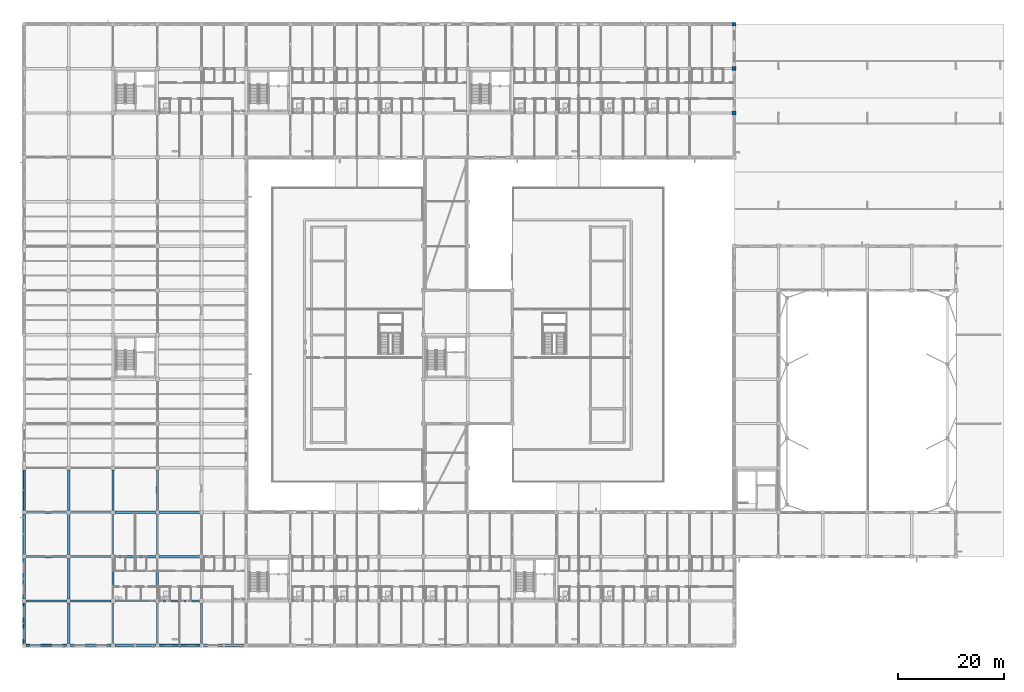
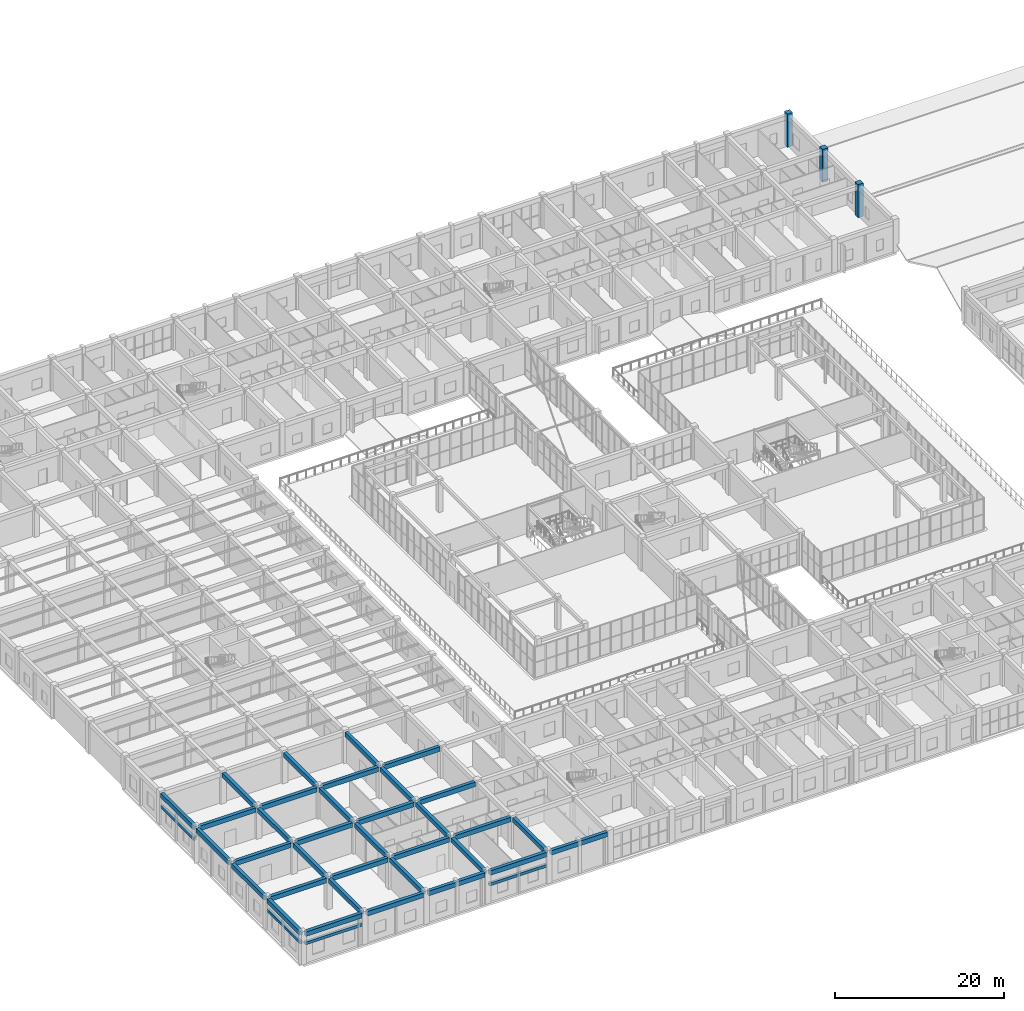
# One storey, part 16 of 158: 38 beams, 3 columns.
"""IFC4 building model written with IfcOpenShell, lengths in metres."""

from ifc_helpers import new_model, si_unit, direction, frame, origin, origin_2d, place, context, subcontext, project, spatial, rectangle, extrude, material, material_profile, profile_set, type_object, element, save


model = new_model("IFC4")

# Units and contexts
model_context = context("Model", 3, precision=1e-05, world=origin(), true_north=direction((0.0, 1.0)))
body_context = subcontext(model_context, "Body", "Model", "MODEL_VIEW")
ifc_project = project(units=[si_unit("LENGTHUNIT", "METRE"), si_unit("AREAUNIT", "SQUARE_METRE"), si_unit("VOLUMEUNIT", "CUBIC_METRE"), si_unit("PLANEANGLEUNIT", "RADIAN"), si_unit("MASSUNIT", "GRAM", prefix="KILO")], contexts=[model_context])

# Site, building, storey
site_placement = place(None, origin())
site = spatial("IfcSite", under=ifc_project, at=site_placement, CompositionType="ELEMENT")
building_placement = place(site_placement, origin())
building = spatial("IfcBuilding", under=site, at=building_placement, Name="Trelvath General Hospital", CompositionType="ELEMENT")
storey_placement = place(building_placement, frame((0.0, 0.0, 8.10009765625)))
storey = spatial("IfcBuildingStorey", under=building, at=storey_placement, Name="L02", CompositionType="ELEMENT", Elevation=8.10009765625)

# Columns
ifc_material_1 = material(Name="Concrete C40/50", Category="concrete")
ifc_material_profile_1 = material_profile(ifc_material_1, rectangle(XDim=0.719970703125, YDim=0.719970703125, at=origin_2d()), Name="RC720x720")
ifc_profile_set_1 = profile_set([ifc_material_profile_1], Name="Concrete C40/50")
column_type = type_object("IfcColumnType", Name="Column RC720", PredefinedType="COLUMN", material=ifc_profile_set_1)
for number, where, z_axis, x_axis, name in (
    (1, (134.39990234375, 100.800048828125, 0.0), (0.0, 0.0, 1.0), (1.0, 0.0, 0.0), "Column C-17M L02"),
    (2, (134.39990234375, 109.199951171875, 0.0), (0.0, 0.0, 1.0), (1.0, 0.0, 0.0), "Column C-17N L02"),
    (3, (134.39990234375, 117.60009765625, 0.0), (0.0, 0.0, 1.0), (1.0, 0.0, 0.0), "Column C-17O L02"),
):
    element("IfcColumn", number, at=place(storey_placement, frame(where, z_axis=z_axis, x_axis=x_axis)), inside=storey, type_object=column_type, Name=name, PredefinedType="COLUMN", context=body_context, shape_type="SweptSolid", body=[
        extrude(rectangle(XDim=0.719970703125, YDim=0.719970703125, at=origin_2d()), origin(), (0.0, 0.0, 1.0), 4.7998046875),
    ])

# Beams
ifc_material_2 = material(Name="Concrete C35/45", Category="concrete")
ifc_material_profile_2 = material_profile(ifc_material_2, rectangle(XDim=0.449951171875, YDim=0.64990234375, at=origin_2d()), Name="RCB450x650")
ifc_profile_set_2 = profile_set([ifc_material_profile_2], Name="Concrete C35/45")
beam_type_1 = type_object("IfcBeamType", Name="Beam RC450x650", PredefinedType="BEAM", material=ifc_profile_set_2)
beam_1_placement = place(storey_placement, frame((0.0, 0.35498046875, 4.19482421875), z_axis=(0.0, 1.0, 0.0), x_axis=(-1.0, 0.0, 0.0)))
element("IfcBeam", 4, at=beam_1_placement, inside=storey, type_object=beam_type_1, Name="Grid Beam BY-200A", PredefinedType="BEAM", context=body_context, shape_type="SweptSolid", body=[
    extrude(rectangle(XDim=0.449951171875, YDim=0.64990234375, at=origin_2d()), origin(), (0.0, 0.0, 1.0), 7.68994140625),
])
beam_2_placement = place(storey_placement, frame((0.0, 8.7548828125, 4.19482421875), z_axis=(0.0, 1.0, 0.0), x_axis=(-1.0, 0.0, 0.0)))
element("IfcBeam", 5, at=beam_2_placement, inside=storey, type_object=beam_type_1, Name="Grid Beam BY-200B", PredefinedType="BEAM", context=body_context, shape_type="SweptSolid", body=[
    extrude(rectangle(XDim=0.449951171875, YDim=0.64990234375, at=origin_2d()), origin(), (0.0, 0.0, 1.0), 7.690185546875),
])
beam_3_placement = place(storey_placement, frame((0.0, 17.155029296875, 4.19482421875), z_axis=(0.0, 1.0, 0.0), x_axis=(-1.0, 0.0, 0.0)))
element("IfcBeam", 6, at=beam_3_placement, inside=storey, type_object=beam_type_1, Name="Grid Beam BY-200C", PredefinedType="BEAM", context=body_context, shape_type="SweptSolid", body=[
    extrude(rectangle(XDim=0.449951171875, YDim=0.64990234375, at=origin_2d()), origin(), (0.0, 0.0, 1.0), 7.68994140625),
])
beam_4_placement = place(storey_placement, frame((0.0, 25.554931640625, 4.19482421875), z_axis=(0.0, 1.0, 0.0), x_axis=(-1.0, 0.0, 0.0)))
element("IfcBeam", 7, at=beam_4_placement, inside=storey, type_object=beam_type_1, Name="Grid Beam BY-200D", PredefinedType="BEAM", context=body_context, shape_type="SweptSolid", body=[
    extrude(rectangle(XDim=0.449951171875, YDim=0.64990234375, at=origin_2d()), origin(), (0.0, 0.0, 1.0), 7.690185546875),
])
beam_5_placement = place(storey_placement, frame((8.39990234375, 0.35498046875, 4.19482421875), z_axis=(0.0, 1.0, 0.0), x_axis=(-1.0, 0.0, 0.0)))
element("IfcBeam", 8, at=beam_5_placement, inside=storey, type_object=beam_type_1, Name="Grid Beam BY-201A", PredefinedType="BEAM", context=body_context, shape_type="SweptSolid", body=[
    extrude(rectangle(XDim=0.449951171875, YDim=0.64990234375, at=origin_2d()), origin(), (0.0, 0.0, 1.0), 7.675048828125),
])
beam_6_placement = place(storey_placement, frame((8.39990234375, 8.77001953125, 4.19482421875), z_axis=(0.0, 1.0, 0.0), x_axis=(-1.0, 0.0, 0.0)))
element("IfcBeam", 9, at=beam_6_placement, inside=storey, type_object=beam_type_1, Name="Grid Beam BY-201B", PredefinedType="BEAM", context=body_context, shape_type="SweptSolid", body=[
    extrude(rectangle(XDim=0.449951171875, YDim=0.64990234375, at=origin_2d()), origin(), (0.0, 0.0, 1.0), 7.659912109375),
])
beam_7_placement = place(storey_placement, frame((8.39990234375, 17.169921875, 4.19482421875), z_axis=(0.0, 1.0, 0.0), x_axis=(-1.0, 0.0, 0.0)))
element("IfcBeam", 10, at=beam_7_placement, inside=storey, type_object=beam_type_1, Name="Grid Beam BY-201C", PredefinedType="BEAM", context=body_context, shape_type="SweptSolid", body=[
    extrude(rectangle(XDim=0.449951171875, YDim=0.64990234375, at=origin_2d()), origin(), (0.0, 0.0, 1.0), 7.66015625),
])
beam_8_placement = place(storey_placement, frame((8.39990234375, 25.570068359375, 4.19482421875), z_axis=(0.0, 1.0, 0.0), x_axis=(-1.0, 0.0, 0.0)))
element("IfcBeam", 11, at=beam_8_placement, inside=storey, type_object=beam_type_1, Name="Grid Beam BY-201D", PredefinedType="BEAM", context=body_context, shape_type="SweptSolid", body=[
    extrude(rectangle(XDim=0.449951171875, YDim=0.64990234375, at=origin_2d()), origin(), (0.0, 0.0, 1.0), 7.659912109375),
])
beam_9_placement = place(storey_placement, frame((16.800048828125, 0.35498046875, 4.19482421875), z_axis=(0.0, 1.0, 0.0), x_axis=(-1.0, 0.0, 0.0)))
element("IfcBeam", 12, at=beam_9_placement, inside=storey, type_object=beam_type_1, Name="Grid Beam BY-202A", PredefinedType="BEAM", context=body_context, shape_type="SweptSolid", body=[
    extrude(rectangle(XDim=0.449951171875, YDim=0.64990234375, at=origin_2d()), origin(), (0.0, 0.0, 1.0), 7.675048828125),
])
beam_10_placement = place(storey_placement, frame((16.800048828125, 8.77001953125, 4.19482421875), z_axis=(0.0, 1.0, 0.0), x_axis=(-1.0, 0.0, 0.0)))
element("IfcBeam", 13, at=beam_10_placement, inside=storey, type_object=beam_type_1, Name="Grid Beam BY-202B", PredefinedType="BEAM", context=body_context, shape_type="SweptSolid", body=[
    extrude(rectangle(XDim=0.449951171875, YDim=0.64990234375, at=origin_2d()), origin(), (0.0, 0.0, 1.0), 7.659912109375),
])
beam_11_placement = place(storey_placement, frame((16.800048828125, 17.169921875, 4.19482421875), z_axis=(0.0, 1.0, 0.0), x_axis=(-1.0, 0.0, 0.0)))
element("IfcBeam", 14, at=beam_11_placement, inside=storey, type_object=beam_type_1, Name="Grid Beam BY-202C", PredefinedType="BEAM", context=body_context, shape_type="SweptSolid", body=[
    extrude(rectangle(XDim=0.449951171875, YDim=0.64990234375, at=origin_2d()), origin(), (0.0, 0.0, 1.0), 7.66015625),
])
beam_12_placement = place(storey_placement, frame((16.800048828125, 25.570068359375, 4.19482421875), z_axis=(0.0, 1.0, 0.0), x_axis=(-1.0, 0.0, 0.0)))
element("IfcBeam", 15, at=beam_12_placement, inside=storey, type_object=beam_type_1, Name="Grid Beam BY-202D", PredefinedType="BEAM", context=body_context, shape_type="SweptSolid", body=[
    extrude(rectangle(XDim=0.449951171875, YDim=0.64990234375, at=origin_2d()), origin(), (0.0, 0.0, 1.0), 7.659912109375),
])
beam_13_placement = place(storey_placement, frame((25.199951171875, 0.35498046875, 4.19482421875), z_axis=(0.0, 1.0, 0.0), x_axis=(-1.0, 0.0, 0.0)))
element("IfcBeam", 16, at=beam_13_placement, inside=storey, type_object=beam_type_1, Name="Grid Beam BY-203A", PredefinedType="BEAM", context=body_context, shape_type="SweptSolid", body=[
    extrude(rectangle(XDim=0.449951171875, YDim=0.64990234375, at=origin_2d()), origin(), (0.0, 0.0, 1.0), 7.675048828125),
])
beam_14_placement = place(storey_placement, frame((25.199951171875, 8.77001953125, 4.19482421875), z_axis=(0.0, 1.0, 0.0), x_axis=(-1.0, 0.0, 0.0)))
element("IfcBeam", 17, at=beam_14_placement, inside=storey, type_object=beam_type_1, Name="Grid Beam BY-203B", PredefinedType="BEAM", context=body_context, shape_type="SweptSolid", body=[
    extrude(rectangle(XDim=0.449951171875, YDim=0.64990234375, at=origin_2d()), origin(), (0.0, 0.0, 1.0), 7.659912109375),
])
beam_15_placement = place(storey_placement, frame((25.199951171875, 17.169921875, 4.19482421875), z_axis=(0.0, 1.0, 0.0), x_axis=(-1.0, 0.0, 0.0)))
element("IfcBeam", 18, at=beam_15_placement, inside=storey, type_object=beam_type_1, Name="Grid Beam BY-203C", PredefinedType="BEAM", context=body_context, shape_type="SweptSolid", body=[
    extrude(rectangle(XDim=0.449951171875, YDim=0.64990234375, at=origin_2d()), origin(), (0.0, 0.0, 1.0), 7.66015625),
])
beam_16_placement = place(storey_placement, frame((25.199951171875, 25.570068359375, 4.19482421875), z_axis=(0.0, 1.0, 0.0), x_axis=(-1.0, 0.0, 0.0)))
element("IfcBeam", 19, at=beam_16_placement, inside=storey, type_object=beam_type_1, Name="Grid Beam BY-203D", PredefinedType="BEAM", context=body_context, shape_type="SweptSolid", body=[
    extrude(rectangle(XDim=0.449951171875, YDim=0.64990234375, at=origin_2d()), origin(), (0.0, 0.0, 1.0), 7.659912109375),
])
beam_17_placement = place(storey_placement, frame((33.60009765625, 0.35498046875, 4.19482421875), z_axis=(0.0, 1.0, 0.0), x_axis=(-1.0, 0.0, 0.0)))
element("IfcBeam", 20, at=beam_17_placement, inside=storey, type_object=beam_type_1, Name="Grid Beam BY-204A", PredefinedType="BEAM", context=body_context, shape_type="SweptSolid", body=[
    extrude(rectangle(XDim=0.449951171875, YDim=0.64990234375, at=origin_2d()), origin(), (0.0, 0.0, 1.0), 7.675048828125),
])
ifc_material_3 = material(Name="Concrete C35/45", Category="concrete")
ifc_material_profile_3 = material_profile(ifc_material_3, rectangle(XDim=0.4599609375, YDim=0.659912109375, at=origin_2d()), Name="RCB460x660")
ifc_profile_set_3 = profile_set([ifc_material_profile_3], Name="Concrete C35/45")
beam_type_2 = type_object("IfcBeamType", Name="Beam RC460x660", PredefinedType="BEAM", material=ifc_profile_set_3)
beam_18_placement = place(storey_placement, frame((0.35498046875, 0.0, 4.18994140625), z_axis=(1.0, 0.0, 0.0), x_axis=(0.0, 1.0, 0.0)))
element("IfcBeam", 21, at=beam_18_placement, inside=storey, type_object=beam_type_2, Name="Grid Beam BX-200A", PredefinedType="BEAM", context=body_context, shape_type="SweptSolid", body=[
    extrude(rectangle(XDim=0.4599609375, YDim=0.659912109375, at=origin_2d()), origin(), (0.0, 0.0, 1.0), 7.68994140625),
])
for number, where, z_axis, x_axis, name in (
    (22, (0.35498046875, 8.39990234375, 4.18994140625), (1.0, 0.0, 0.0), (0.0, 1.0, 0.0), "Grid Beam BX-200B"),
    (23, (0.35498046875, 16.800048828125, 4.18994140625), (1.0, 0.0, 0.0), (0.0, 1.0, 0.0), "Grid Beam BX-200C"),
    (24, (0.35498046875, 25.199951171875, 4.18994140625), (1.0, 0.0, 0.0), (0.0, 1.0, 0.0), "Grid Beam BX-200D"),
):
    element("IfcBeam", number, at=place(storey_placement, frame(where, z_axis=z_axis, x_axis=x_axis)), inside=storey, type_object=beam_type_2, Name=name, PredefinedType="BEAM", context=body_context, shape_type="SweptSolid", body=[
        extrude(rectangle(XDim=0.4599609375, YDim=0.659912109375, at=origin_2d()), origin(), (0.0, 0.0, 1.0), 7.675048828125),
    ])
beam_19_placement = place(storey_placement, frame((8.7548828125, 0.0, 4.18994140625), z_axis=(1.0, 0.0, 0.0), x_axis=(0.0, 1.0, 0.0)))
element("IfcBeam", 25, at=beam_19_placement, inside=storey, type_object=beam_type_2, Name="Grid Beam BX-201A", PredefinedType="BEAM", context=body_context, shape_type="SweptSolid", body=[
    extrude(rectangle(XDim=0.4599609375, YDim=0.659912109375, at=origin_2d()), origin(), (0.0, 0.0, 1.0), 7.690185546875),
])
for number, where, z_axis, x_axis, name in (
    (26, (8.77001953125, 8.39990234375, 4.18994140625), (1.0, 0.0, 0.0), (0.0, 1.0, 0.0), "Grid Beam BX-201B"),
    (27, (8.77001953125, 16.800048828125, 4.18994140625), (1.0, 0.0, 0.0), (0.0, 1.0, 0.0), "Grid Beam BX-201C"),
    (28, (8.77001953125, 25.199951171875, 4.18994140625), (1.0, 0.0, 0.0), (0.0, 1.0, 0.0), "Grid Beam BX-201D"),
):
    element("IfcBeam", number, at=place(storey_placement, frame(where, z_axis=z_axis, x_axis=x_axis)), inside=storey, type_object=beam_type_2, Name=name, PredefinedType="BEAM", context=body_context, shape_type="SweptSolid", body=[
        extrude(rectangle(XDim=0.4599609375, YDim=0.659912109375, at=origin_2d()), origin(), (0.0, 0.0, 1.0), 7.659912109375),
    ])
beam_20_placement = place(storey_placement, frame((17.155029296875, 0.0, 4.18994140625), z_axis=(1.0, 0.0, 0.0), x_axis=(0.0, 1.0, 0.0)))
element("IfcBeam", 29, at=beam_20_placement, inside=storey, type_object=beam_type_2, Name="Grid Beam BX-202A", PredefinedType="BEAM", context=body_context, shape_type="SweptSolid", body=[
    extrude(rectangle(XDim=0.4599609375, YDim=0.659912109375, at=origin_2d()), origin(), (0.0, 0.0, 1.0), 7.68994140625),
])
for number, where, z_axis, x_axis, name in (
    (30, (17.169921875, 8.39990234375, 4.18994140625), (1.0, 0.0, 0.0), (0.0, 1.0, 0.0), "Grid Beam BX-202B"),
    (31, (17.169921875, 16.800048828125, 4.18994140625), (1.0, 0.0, 0.0), (0.0, 1.0, 0.0), "Grid Beam BX-202C"),
    (32, (17.169921875, 25.199951171875, 4.18994140625), (1.0, 0.0, 0.0), (0.0, 1.0, 0.0), "Grid Beam BX-202D"),
):
    element("IfcBeam", number, at=place(storey_placement, frame(where, z_axis=z_axis, x_axis=x_axis)), inside=storey, type_object=beam_type_2, Name=name, PredefinedType="BEAM", context=body_context, shape_type="SweptSolid", body=[
        extrude(rectangle(XDim=0.4599609375, YDim=0.659912109375, at=origin_2d()), origin(), (0.0, 0.0, 1.0), 7.66015625),
    ])
beam_21_placement = place(storey_placement, frame((25.554931640625, 0.0, 4.18994140625), z_axis=(1.0, 0.0, 0.0), x_axis=(0.0, 1.0, 0.0)))
element("IfcBeam", 33, at=beam_21_placement, inside=storey, type_object=beam_type_2, Name="Grid Beam BX-203A", PredefinedType="BEAM", context=body_context, shape_type="SweptSolid", body=[
    extrude(rectangle(XDim=0.4599609375, YDim=0.659912109375, at=origin_2d()), origin(), (0.0, 0.0, 1.0), 7.690185546875),
])
for number, where, z_axis, x_axis, name in (
    (34, (25.570068359375, 8.39990234375, 4.18994140625), (1.0, 0.0, 0.0), (0.0, 1.0, 0.0), "Grid Beam BX-203B"),
    (35, (25.570068359375, 16.800048828125, 4.18994140625), (1.0, 0.0, 0.0), (0.0, 1.0, 0.0), "Grid Beam BX-203C"),
    (36, (25.570068359375, 25.199951171875, 4.18994140625), (1.0, 0.0, 0.0), (0.0, 1.0, 0.0), "Grid Beam BX-203D"),
):
    element("IfcBeam", number, at=place(storey_placement, frame(where, z_axis=z_axis, x_axis=x_axis)), inside=storey, type_object=beam_type_2, Name=name, PredefinedType="BEAM", context=body_context, shape_type="SweptSolid", body=[
        extrude(rectangle(XDim=0.4599609375, YDim=0.659912109375, at=origin_2d()), origin(), (0.0, 0.0, 1.0), 7.659912109375),
    ])
beam_22_placement = place(storey_placement, frame((33.955078125, 0.0, 4.18994140625), z_axis=(1.0, 0.0, 0.0), x_axis=(0.0, 1.0, 0.0)))
element("IfcBeam", 37, at=beam_22_placement, inside=storey, type_object=beam_type_2, Name="Grid Beam BX-204A", PredefinedType="BEAM", context=body_context, shape_type="SweptSolid", body=[
    extrude(rectangle(XDim=0.4599609375, YDim=0.659912109375, at=origin_2d()), origin(), (0.0, 0.0, 1.0), 7.68994140625),
])
ifc_material_4 = material(Name="Precast concrete C40/50", Category="concrete")
ifc_material_profile_4 = material_profile(ifc_material_4, rectangle(XDim=0.35009765625, YDim=0.419921875, at=origin_2d()), Name="PCL350x420")
ifc_profile_set_4 = profile_set([ifc_material_profile_4], Name="Precast concrete C40/50")
beam_type_3 = type_object("IfcBeamType", Name="Lintel PC350x420", PredefinedType="LINTEL", material=ifc_profile_set_4)
for number, where, z_axis, x_axis, name in (
    (38, (8.125, 0.0, 2.81982421875), (-1.0, 0.0, 0.0), (0.0, -1.0, 0.0), "Precast Window Brow Lintel L02-220"),
    (39, (0.0, 0.27490234375, 2.81982421875), (0.0, 1.0, 0.0), (-1.0, 0.0, 0.0), "Precast Window Brow Lintel L02-221"),
):
    element("IfcBeam", number, at=place(storey_placement, frame(where, z_axis=z_axis, x_axis=x_axis)), inside=storey, type_object=beam_type_3, Name=name, PredefinedType="LINTEL", context=body_context, shape_type="SweptSolid", body=[
        extrude(rectangle(XDim=0.35009765625, YDim=0.419921875, at=origin_2d()), origin(), (0.0, 0.0, 1.0), 7.85009765625),
    ])
for number, where, z_axis, x_axis, name in (
    (40, (0.0, 25.47509765625, 2.52001953125), (0.0, 1.0, 0.0), (-1.0, 0.0, 0.0), "Precast Window Brow Lintel L02-224"),
    (41, (33.324951171875, 0.0, 2.52001953125), (-1.0, 0.0, 0.0), (0.0, -1.0, 0.0), "Precast Window Brow Lintel L02-240"),
):
    element("IfcBeam", number, at=place(storey_placement, frame(where, z_axis=z_axis, x_axis=x_axis)), inside=storey, type_object=beam_type_3, Name=name, PredefinedType="LINTEL", context=body_context, shape_type="SweptSolid", body=[
        extrude(rectangle(XDim=0.35009765625, YDim=0.419921875, at=origin_2d()), origin(), (0.0, 0.0, 1.0), 7.849853515625),
    ])

save(model, "model.ifc")
